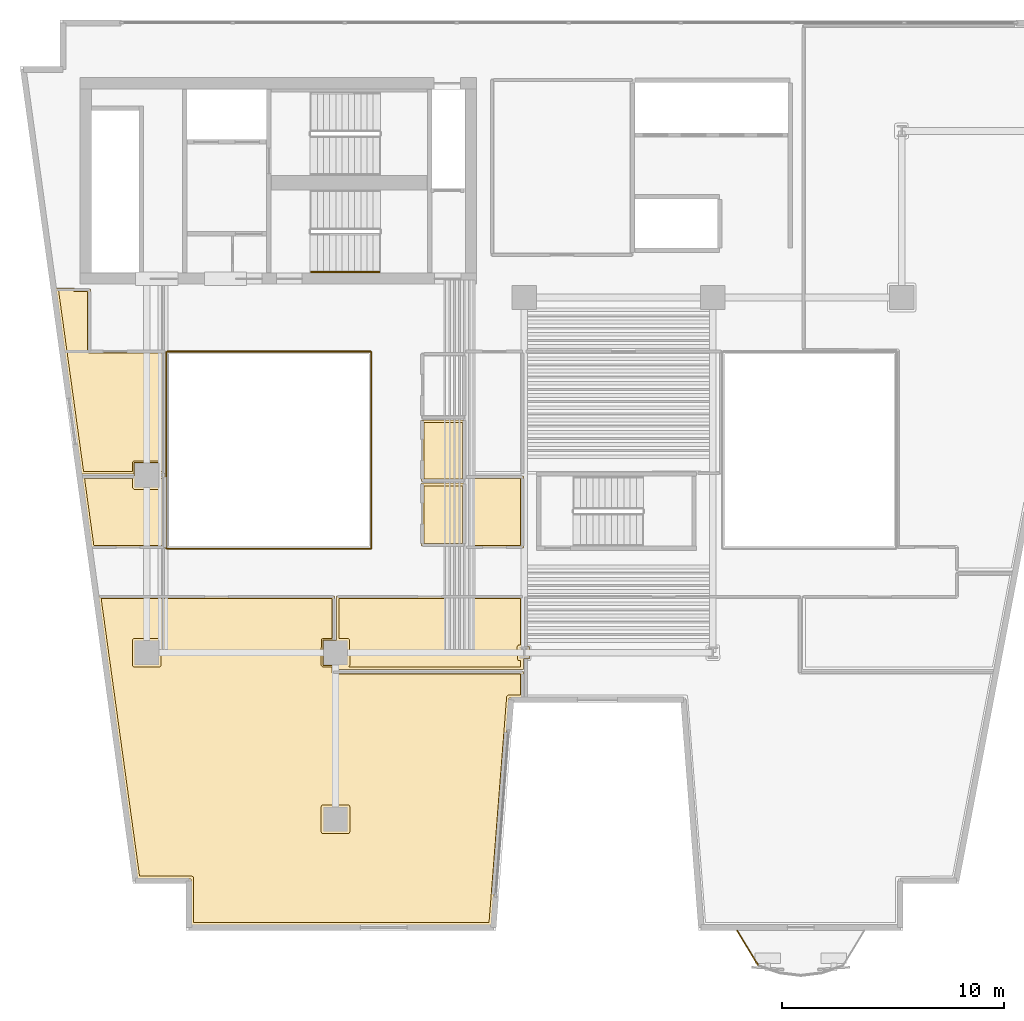
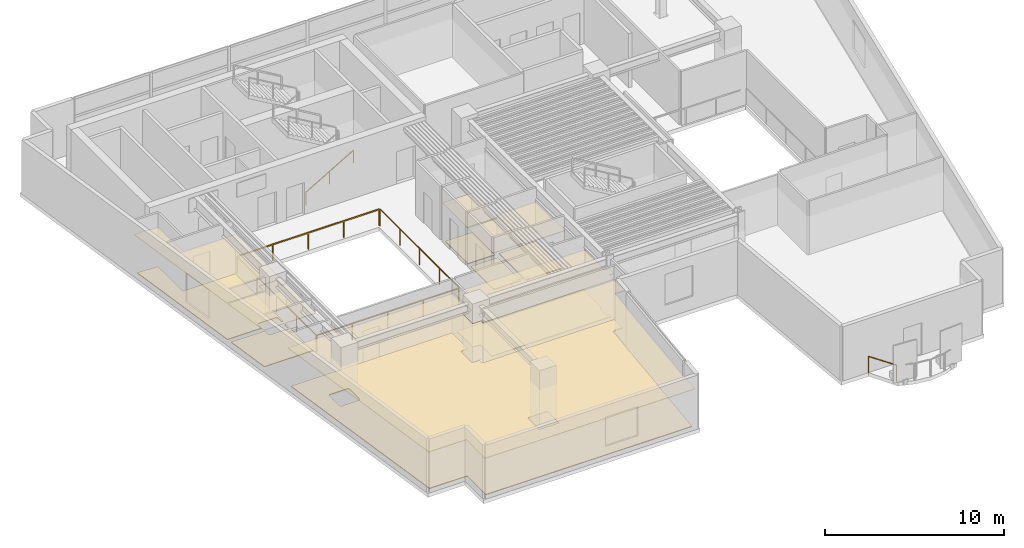
# One storey, part 9 of 12: 14 coverings, 6 railings.
"""IFC4 building model written with IfcOpenShell, lengths in metres."""

from ifc_helpers import new_model, si_unit, direction, frame, origin, origin_2d, place, context, subcontext, project, spatial, polyline, rectangle, outline, extrude, material, layer, layer_set, type_object, element, save


model = new_model("IFC4")

# Units and contexts
model_context = context("Model", 3, precision=1e-05, world=origin(), true_north=direction((0.0, 1.0)))
body_context = subcontext(model_context, "Body", "Model", "MODEL_VIEW")
ifc_project = project(units=[si_unit("LENGTHUNIT", "METRE"), si_unit("AREAUNIT", "SQUARE_METRE"), si_unit("VOLUMEUNIT", "CUBIC_METRE"), si_unit("PLANEANGLEUNIT", "RADIAN"), si_unit("MASSUNIT", "GRAM", prefix="KILO")], contexts=[model_context])

# Site, building, storey
site_placement = place(None, origin())
site = spatial("IfcSite", under=ifc_project, at=site_placement, CompositionType="ELEMENT")
building_placement = place(site_placement, origin())
building = spatial("IfcBuilding", under=site, at=building_placement, Name="Caeloran Harvest Quay", CompositionType="ELEMENT")
storey_placement = place(building_placement, frame((0.0, 0.0, 119.300048828125)))
storey = spatial("IfcBuildingStorey", under=building, at=storey_placement, Name="L27", CompositionType="ELEMENT", Elevation=119.300048828125)

# Coverings
ifc_material_1 = material(Name="Perforated Mineral-Fibre Acoustic Ceiling Tile", Category="ceiling")
ifc_layer_1 = layer(ifc_material_1, 0.0400390625, Name="Perforated Mineral-Fibre Acoustic Ceiling Tile")
ifc_layer_set_1 = layer_set([ifc_layer_1], Name="Perforated Mineral-Fibre Acoustic Ceiling Tile")
covering_type_1 = type_object("IfcCoveringType", Name="COV-CEILING-ACOUSTIC", PredefinedType="CEILING", material=ifc_layer_set_1)
covering_1_placement = place(storey_placement, frame((0.0, 0.0, 2.599853515625)))
element("IfcCovering", 1, at=covering_1_placement, inside=storey, type_object=covering_type_1, Name="L27 Female Washroom WC Acoustic Ceiling", PredefinedType="CEILING", context=body_context, shape_type="SweptSolid", body=[
    extrude(outline(polyline([(22.840087890625, 22.7099609375), (20.8701171875, 22.7099609375), (20.8701171875, 25.489990234375), (22.840087890625, 25.489990234375), (22.840087890625, 22.7099609375)])), origin(), (0.0, 0.0, 1.0), 0.0400390625),
])
covering_2_placement = place(storey_placement, frame((0.0, 0.0, 2.599853515625)))
element("IfcCovering", 2, at=covering_2_placement, inside=storey, type_object=covering_type_1, Name="L27 Accessible Unisex Washroom WC Acoustic Ceiling", PredefinedType="CEILING", context=body_context, shape_type="SweptSolid", body=[
    extrude(outline(polyline([(22.840087890625, 19.81005859375), (20.8701171875, 19.81005859375), (20.8701171875, 22.639892578125), (22.840087890625, 22.639892578125), (22.840087890625, 19.81005859375)])), origin(), (0.0, 0.0, 1.0), 0.0400390625),
])
covering_3_placement = place(storey_placement, frame((0.0, 0.0, 2.599853515625)))
element("IfcCovering", 3, at=covering_3_placement, inside=storey, type_object=covering_type_1, Name="Agri-Robotics Open Research Workspace Acoustic Ceiling", PredefinedType="CEILING", context=body_context, shape_type="SweptSolid", body=[
    extrude(outline(polyline([(6.309326171875, 17.56005859375), (16.9599609375, 17.56005859375), (16.9599609375, 15.570068359375), (17.570068359375, 15.570068359375), (17.570068359375, 14.429931640625), (16.9599609375, 14.429931640625), (16.9599609375, 14.159912109375), (25.4599609375, 14.159912109375), (25.4599609375, 12.969970703125), (24.826416015625, 12.969970703125), (24.026611328125, 2.719970703125), (10.489990234375, 2.719970703125), (10.489990234375, 4.820068359375), (8.0712890625, 4.820068359375), (6.309326171875, 17.56005859375)])), origin(), (0.0, 0.0, 1.0), 0.0400390625),
])
covering_4_placement = place(storey_placement, frame((0.0, 0.0, 2.599853515625)))
element("IfcCovering", 4, at=covering_4_placement, inside=storey, type_object=covering_type_1, Name="Phenotyping Sensor Laboratory Acoustic Ceiling", PredefinedType="CEILING", context=body_context, shape_type="SweptSolid", body=[
    extrude(outline(polyline([(16.429931640625, 14.429931640625), (16.429931640625, 15.570068359375), (17.0400390625, 15.570068359375), (17.0400390625, 17.56005859375), (25.4599609375, 17.56005859375), (25.4599609375, 15.277099609375), (25.738525390625, 15.277099609375), (25.738525390625, 14.722900390625), (25.4599609375, 14.722900390625), (25.4599609375, 14.239990234375), (17.0400390625, 14.239990234375), (17.0400390625, 14.429931640625), (16.429931640625, 14.429931640625)])), origin(), (0.0, 0.0, 1.0), 0.0400390625),
])
covering_5_placement = place(storey_placement, frame((0.0, 0.0, 2.599853515625)))
element("IfcCovering", 5, at=covering_5_placement, inside=storey, type_object=covering_type_1, Name="R&D Project Conference Room Acoustic Ceiling", PredefinedType="CEILING", context=body_context, shape_type="SweptSolid", body=[
    extrude(outline(polyline([(25.4599609375, 19.7099609375), (22.8701171875, 19.7099609375), (22.8701171875, 22.9599609375), (25.4599609375, 22.9599609375), (25.4599609375, 19.7099609375)])), origin(), (0.0, 0.0, 1.0), 0.0400390625),
])
covering_6_placement = place(storey_placement, frame((0.0, 0.0, 2.599853515625)))
element("IfcCovering", 6, at=covering_6_placement, inside=storey, type_object=covering_type_1, Name="Collaborators Tea Lounge Acoustic Ceiling", PredefinedType="CEILING", context=body_context, shape_type="SweptSolid", body=[
    extrude(outline(polyline([(9.360107421875, 22.9599609375), (9.360107421875, 19.7099609375), (6.01220703125, 19.7099609375), (5.5625, 22.9599609375), (7.929931640625, 22.9599609375), (7.929931640625, 23.570068359375), (9.070068359375, 23.570068359375), (9.070068359375, 22.9599609375), (9.360107421875, 22.9599609375)])), origin(), (0.0, 0.0, 1.0), 0.0400390625),
])
covering_7_placement = place(storey_placement, frame((0.0, 0.0, 2.599853515625)))
element("IfcCovering", 7, at=covering_7_placement, inside=storey, type_object=covering_type_1, Name="Crop Genomics Wet Laboratory 9 Acoustic Ceiling", PredefinedType="CEILING", context=body_context, shape_type="SweptSolid", body=[
    extrude(outline(polyline([(9.070068359375, 22.429931640625), (7.929931640625, 22.429931640625), (7.929931640625, 23.0400390625), (5.551513671875, 23.0400390625), (4.391357421875, 31.429931640625), (5.214599609375, 31.429931640625), (5.260009765625, 31.408447265625), (5.260009765625, 31.389892578125), (5.9599609375, 31.389892578125), (5.9599609375, 28.610107421875), (9.360107421875, 28.610107421875), (9.360107421875, 23.0400390625), (9.070068359375, 23.0400390625), (9.070068359375, 22.429931640625)])), origin(), (0.0, 0.0, 1.0), 0.0400390625),
])
ifc_material_2 = material(Name="Calcium-Sulphate Raised Access Floor and Terrazzo Finish", Category="flooring")
ifc_layer_2 = layer(ifc_material_2, 0.050048828125, Name="Calcium-Sulphate Raised Access Floor and Terrazzo Finish")
ifc_layer_set_2 = layer_set([ifc_layer_2], Name="Calcium-Sulphate Raised Access Floor and Terrazzo Finish")
covering_type_2 = type_object("IfcCoveringType", Name="COV-FLOOR-RAISED", PredefinedType="FLOORING", material=ifc_layer_set_2)
covering_8_placement = place(storey_placement, origin())
element("IfcCovering", 8, at=covering_8_placement, inside=storey, type_object=covering_type_2, Name="L27 Female Washroom WC Raised Finish Flooring", PredefinedType="FLOORING", context=body_context, shape_type="SweptSolid", body=[
    extrude(outline(polyline([(22.719970703125, 22.830078125), (20.989990234375, 22.830078125), (20.989990234375, 25.3701171875), (22.719970703125, 25.3701171875), (22.719970703125, 22.830078125)])), origin(), (0.0, 0.0, 1.0), 0.050048828125),
])
covering_9_placement = place(storey_placement, origin())
element("IfcCovering", 9, at=covering_9_placement, inside=storey, type_object=covering_type_2, Name="L27 Accessible Unisex Washroom WC Raised Finish Flooring", PredefinedType="FLOORING", context=body_context, shape_type="SweptSolid", body=[
    extrude(outline(polyline([(22.719970703125, 19.929931640625), (20.989990234375, 19.929931640625), (20.989990234375, 22.52001953125), (22.719970703125, 22.52001953125), (22.719970703125, 19.929931640625)])), origin(), (0.0, 0.0, 1.0), 0.050048828125),
])
covering_10_placement = place(storey_placement, origin())
element("IfcCovering", 10, at=covering_10_placement, inside=storey, type_object=covering_type_2, Name="Agri-Robotics Open Research Workspace Raised Finish Flooring", PredefinedType="FLOORING", context=body_context, shape_type="SweptSolid", body=[
    extrude(outline(polyline([(10.610107421875, 4.860107421875), (10.586669921875, 4.91650390625), (10.530029296875, 4.93994140625), (8.17578125, 4.93994140625), (6.447021484375, 17.43994140625), (16.840087890625, 17.43994140625), (16.840087890625, 15.64501953125), (16.42724609375, 15.64453125), (16.361083984375, 15.595703125), (16.35498046875, 14.43505859375), (16.41943359375, 14.3564453125), (16.840087890625, 14.35498046875), (16.841552734375, 14.1044921875), (16.889404296875, 14.046142578125), (25.340087890625, 14.0400390625), (25.340087890625, 13.090087890625), (24.781494140625, 13.089599609375), (24.709716796875, 13.01611328125), (23.91552734375, 2.840087890625), (10.610107421875, 2.840087890625), (10.610107421875, 4.860107421875)]), holes=[polyline([(16.43505859375, 8.14501953125), (16.37841796875, 8.12158203125), (16.35498046875, 8.06494140625), (16.35498046875, 6.93505859375), (16.37841796875, 6.87841796875), (16.43505859375, 6.85498046875), (17.56494140625, 6.85498046875), (17.62158203125, 6.87841796875), (17.64501953125, 6.93505859375), (17.64501953125, 8.06494140625), (17.62158203125, 8.12158203125), (17.56494140625, 8.14501953125), (16.43505859375, 8.14501953125)]), polyline([(7.93505859375, 15.64501953125), (7.87841796875, 15.62158203125), (7.85498046875, 15.56494140625), (7.85498046875, 14.43505859375), (7.87841796875, 14.37841796875), (7.93505859375, 14.35498046875), (9.06494140625, 14.35498046875), (9.12158203125, 14.37841796875), (9.14501953125, 14.43505859375), (9.14501953125, 15.56494140625), (9.12158203125, 15.62158203125), (9.06494140625, 15.64501953125), (7.93505859375, 15.64501953125)])]), origin(), (0.0, 0.0, 1.0), 0.050048828125),
])
covering_11_placement = place(storey_placement, origin())
element("IfcCovering", 11, at=covering_11_placement, inside=storey, type_object=covering_type_2, Name="Phenotyping Sensor Laboratory Raised Finish Flooring", PredefinedType="FLOORING", context=body_context, shape_type="SweptSolid", body=[
    extrude(outline(polyline([(17.592529296875, 14.360107421875), (17.64501953125, 14.43505859375), (17.6416015625, 15.588134765625), (17.57275390625, 15.64453125), (17.159912109375, 15.64501953125), (17.159912109375, 17.43994140625), (25.340087890625, 17.43994140625), (25.340087890625, 15.35205078125), (25.228759765625, 15.342529296875), (25.1865234375, 15.27197265625), (25.18798828125, 14.71240234375), (25.23583984375, 14.654052734375), (25.340087890625, 14.64794921875), (25.340087890625, 14.360107421875), (17.592529296875, 14.360107421875)])), origin(), (0.0, 0.0, 1.0), 0.050048828125),
])
covering_12_placement = place(storey_placement, origin())
element("IfcCovering", 12, at=covering_12_placement, inside=storey, type_object=covering_type_2, Name="R&D Project Conference Room Raised Finish Flooring", PredefinedType="FLOORING", context=body_context, shape_type="SweptSolid", body=[
    extrude(outline(polyline([(25.340087890625, 19.830078125), (22.989990234375, 19.830078125), (22.989990234375, 22.840087890625), (25.340087890625, 22.840087890625), (25.340087890625, 19.830078125)])), origin(), (0.0, 0.0, 1.0), 0.050048828125),
])
covering_13_placement = place(storey_placement, origin())
element("IfcCovering", 13, at=covering_13_placement, inside=storey, type_object=covering_type_2, Name="Collaborators Tea Lounge Raised Finish Flooring", PredefinedType="FLOORING", context=body_context, shape_type="SweptSolid", body=[
    extrude(outline(polyline([(7.85498046875, 22.840087890625), (7.8564453125, 22.41943359375), (7.93505859375, 22.35498046875), (9.095703125, 22.361083984375), (9.14453125, 22.42724609375), (9.14501953125, 22.840087890625), (9.239990234375, 22.840087890625), (9.239990234375, 19.830078125), (6.11669921875, 19.830078125), (5.700439453125, 22.840087890625), (7.85498046875, 22.840087890625)])), origin(), (0.0, 0.0, 1.0), 0.050048828125),
])
covering_14_placement = place(storey_placement, origin())
element("IfcCovering", 14, at=covering_14_placement, inside=storey, type_object=covering_type_2, Name="Crop Genomics Wet Laboratory 9 Raised Finish Flooring", PredefinedType="FLOORING", context=body_context, shape_type="SweptSolid", body=[
    extrude(outline(polyline([(5.165283203125, 31.31005859375), (5.2431640625, 31.270263671875), (5.840087890625, 31.27001953125), (5.840087890625, 28.60009765625), (5.8857421875, 28.5107421875), (5.949951171875, 28.489990234375), (9.239990234375, 28.489990234375), (9.239990234375, 23.159912109375), (9.14501953125, 23.159912109375), (9.1435546875, 23.58056640625), (9.06494140625, 23.64501953125), (7.904296875, 23.638916015625), (7.85546875, 23.57275390625), (7.85498046875, 23.159912109375), (5.656005859375, 23.159912109375), (4.529052734375, 31.31005859375), (5.165283203125, 31.31005859375)])), origin(), (0.0, 0.0, 1.0), 0.050048828125),
])

# Railings
ifc_material_3 = material(Name="Powder-Coated Steel Post and Laminated Glass Guardrail", Category="steel")
ifc_layer_3 = layer(ifc_material_3, 0.06005859375, Name="Powder-Coated Steel Post and Laminated Glass Guardrail")
ifc_layer_set_3 = layer_set([ifc_layer_3], Name="Powder-Coated Steel Post and Laminated Glass Guardrail")
railing_type_1 = type_object("IfcRailingType", Name="GUARD-ATRIUM-1150", PredefinedType="GUARDRAIL", material=ifc_layer_set_3)
railing_1_placement = place(storey_placement, frame((9.412109375, 19.679931640625, 0.0)))
element("IfcRailing", 15, at=railing_1_placement, inside=storey, type_object=railing_type_1, Name="L27 Skylit Atrium Void Perimeter Guardrail Seg 1", PredefinedType="GUARDRAIL", context=body_context, shape_type="SweptSolid", body=[
    extrude(rectangle(XDim=0.048095703125, YDim=0.048095703125, at=origin_2d()), frame((0.0, 0.0, 1.1259765625), z_axis=(1.0, 0.0, 0.0), x_axis=(0.0, 1.0, 0.0)), (0.0, 0.0, 1.0), 9.17578125),
    extrude(rectangle(XDim=0.0419921875, YDim=0.0419921875, at=origin_2d()), origin(), (0.0, 0.0, 1.0), 1.101806640625),
    extrude(rectangle(XDim=0.0419921875, YDim=0.0419921875, at=origin_2d()), frame((2.2939453125, 0.0, 0.0)), (0.0, 0.0, 1.0), 1.101806640625),
    extrude(rectangle(XDim=0.0419921875, YDim=0.0419921875, at=origin_2d()), frame((4.587890625, 0.0, 0.0)), (0.0, 0.0, 1.0), 1.101806640625),
    extrude(rectangle(XDim=0.0419921875, YDim=0.0419921875, at=origin_2d()), frame((6.8818359375, 0.0, 0.0)), (0.0, 0.0, 1.0), 1.101806640625),
    extrude(rectangle(XDim=0.0419921875, YDim=0.0419921875, at=origin_2d()), frame((9.17578125, 0.0, 0.0)), (0.0, 0.0, 1.0), 1.101806640625),
])
railing_2_placement = place(storey_placement, frame((18.6201171875, 19.7119140625, 0.0)))
element("IfcRailing", 16, at=railing_2_placement, inside=storey, type_object=railing_type_1, Name="L27 Skylit Atrium Void Perimeter Guardrail Seg 2", PredefinedType="GUARDRAIL", context=body_context, shape_type="SweptSolid", body=[
    extrude(rectangle(XDim=0.048095703125, YDim=0.048095703125, at=origin_2d()), frame((0.0, 0.0, 1.1259765625), z_axis=(0.0, 1.0, 0.0), x_axis=(-1.0, 0.0, 0.0)), (0.0, 0.0, 1.0), 8.826171875),
    extrude(rectangle(XDim=0.0419921875, YDim=0.0419921875, at=origin_2d()), origin(), (0.0, 0.0, 1.0), 1.101806640625),
    extrude(rectangle(XDim=0.0419921875, YDim=0.0419921875, at=origin_2d()), frame((0.0, 2.20654296875, 0.0)), (0.0, 0.0, 1.0), 1.101806640625),
    extrude(rectangle(XDim=0.0419921875, YDim=0.0419921875, at=origin_2d()), frame((0.0, 4.4130859375, 0.0)), (0.0, 0.0, 1.0), 1.101806640625),
    extrude(rectangle(XDim=0.0419921875, YDim=0.0419921875, at=origin_2d()), frame((0.0, 6.61962890625, 0.0)), (0.0, 0.0, 1.0), 1.101806640625),
    extrude(rectangle(XDim=0.0419921875, YDim=0.0419921875, at=origin_2d()), frame((0.0, 8.826171875, 0.0)), (0.0, 0.0, 1.0), 1.101806640625),
])
railing_3_placement = place(storey_placement, frame((18.587890625, 28.570068359375, 0.0)))
element("IfcRailing", 17, at=railing_3_placement, inside=storey, type_object=railing_type_1, Name="L27 Skylit Atrium Void Perimeter Guardrail Seg 3", PredefinedType="GUARDRAIL", context=body_context, shape_type="SweptSolid", body=[
    extrude(rectangle(XDim=0.048095703125, YDim=0.048095703125, at=origin_2d()), frame((0.0, 0.0, 1.1259765625), z_axis=(-1.0, 0.0, 0.0), x_axis=(0.0, -1.0, 0.0)), (0.0, 0.0, 1.0), 9.17578125),
    extrude(rectangle(XDim=0.0419921875, YDim=0.0419921875, at=origin_2d()), origin(), (0.0, 0.0, 1.0), 1.101806640625),
    extrude(rectangle(XDim=0.0419921875, YDim=0.0419921875, at=origin_2d()), frame((-2.2939453125, 0.0, 0.0)), (0.0, 0.0, 1.0), 1.101806640625),
    extrude(rectangle(XDim=0.0419921875, YDim=0.0419921875, at=origin_2d()), frame((-4.587890625, 0.0, 0.0)), (0.0, 0.0, 1.0), 1.101806640625),
    extrude(rectangle(XDim=0.0419921875, YDim=0.0419921875, at=origin_2d()), frame((-6.8818359375, 0.0, 0.0)), (0.0, 0.0, 1.0), 1.101806640625),
    extrude(rectangle(XDim=0.0419921875, YDim=0.0419921875, at=origin_2d()), frame((-9.17578125, 0.0, 0.0)), (0.0, 0.0, 1.0), 1.101806640625),
])
railing_4_placement = place(storey_placement, frame((9.3798828125, 28.5380859375, 0.0)))
element("IfcRailing", 18, at=railing_4_placement, inside=storey, type_object=railing_type_1, Name="L27 Skylit Atrium Void Perimeter Guardrail Seg 4", PredefinedType="GUARDRAIL", context=body_context, shape_type="SweptSolid", body=[
    extrude(rectangle(XDim=0.048095703125, YDim=0.048095703125, at=origin_2d()), frame((0.0, 0.0, 1.1259765625), z_axis=(0.0, -1.0, 0.0), x_axis=(1.0, 0.0, 0.0)), (0.0, 0.0, 1.0), 8.826171875),
    extrude(rectangle(XDim=0.0419921875, YDim=0.0419921875, at=origin_2d()), origin(), (0.0, 0.0, 1.0), 1.101806640625),
    extrude(rectangle(XDim=0.0419921875, YDim=0.0419921875, at=origin_2d()), frame((0.0, -2.20654296875, 0.0)), (0.0, 0.0, 1.0), 1.101806640625),
    extrude(rectangle(XDim=0.0419921875, YDim=0.0419921875, at=origin_2d()), frame((0.0, -4.4130859375, 0.0)), (0.0, 0.0, 1.0), 1.101806640625),
    extrude(rectangle(XDim=0.0419921875, YDim=0.0419921875, at=origin_2d()), frame((0.0, -6.61962890625, 0.0)), (0.0, 0.0, 1.0), 1.101806640625),
    extrude(rectangle(XDim=0.0419921875, YDim=0.0419921875, at=origin_2d()), frame((0.0, -8.826171875, 0.0)), (0.0, 0.0, 1.0), 1.101806640625),
])
ifc_material_4 = material(Name="Laminated Safety Glass and Stainless Steel 316", Category="steel")
ifc_layer_4 = layer(ifc_material_4, 0.06005859375, Name="Laminated Safety Glass and Stainless Steel 316")
ifc_layer_set_4 = layer_set([ifc_layer_4], Name="Laminated Safety Glass and Stainless Steel 316")
railing_type_2 = type_object("IfcRailingType", Name="GUARD-BALUSTRADE-1150", PredefinedType="BALUSTRADE", material=ifc_layer_set_4)
railing_5_placement = place(storey_placement, frame((36.028564453125, 0.94677734375, 0.0)))
element("IfcRailing", 19, at=railing_5_placement, inside=storey, type_object=railing_type_2, Name="L27 Planted Balcony Perimeter Balustrade Guard Seg 6", PredefinedType="BALUSTRADE", context=body_context, shape_type="SweptSolid", body=[
    extrude(rectangle(XDim=0.048095703125, YDim=0.048095703125, at=origin_2d()), frame((0.0, 0.0, 1.1259765625), z_axis=(-0.522460171992, 0.852663690257, 0.0), x_axis=(-0.852663690257, -0.522460171992, 0.0)), (0.0, 0.0, 1.0), 1.798095703125),
    extrude(rectangle(XDim=0.0419921875, YDim=0.0419921875, at=origin_2d()), origin(), (0.0, 0.0, 1.0), 1.101806640625),
    extrude(rectangle(XDim=0.0419921875, YDim=0.0419921875, at=origin_2d()), frame((-0.939453125, 1.533203125, 0.0)), (0.0, 0.0, 1.0), 1.101806640625),
])
ifc_material_5 = material(Name="Brushed Stainless Steel Grade 304", Category="steel")
ifc_layer_5 = layer(ifc_material_5, 0.050048828125, Name="Brushed Stainless Steel Grade 304")
ifc_layer_set_5 = layer_set([ifc_layer_5], Name="Brushed Stainless Steel Grade 304")
railing_type_3 = type_object("IfcRailingType", Name="STAIR-HANDRAIL-900", PredefinedType="HANDRAIL", material=ifc_layer_set_5)
railing_6_placement = place(storey_placement, frame((15.89990234375, 32.14990234375, 0.16455078125)))
element("IfcRailing", 20, at=railing_6_placement, inside=storey, type_object=railing_type_3, Name="L27 ST-C2 stair handrail 1", PredefinedType="HANDRAIL", context=body_context, shape_type="SweptSolid", body=[
    extrude(rectangle(XDim=0.048095703125, YDim=0.048095703125, at=origin_2d()), frame((0.0, 0.0, 0.8759765625), z_axis=(0.862118610829, 0.0, 0.506706523406), x_axis=(0.0, 1.0, 0.0)), (0.0, 0.0, 1.0), 3.57275390625),
    extrude(rectangle(XDim=0.0419921875, YDim=0.0419921875, at=origin_2d()), origin(), (0.0, 0.0, 1.0), 0.851806640625),
    extrude(rectangle(XDim=0.0419921875, YDim=0.0419921875, at=origin_2d()), frame((1.5400390625, 0.0, 0.9052734375)), (0.0, 0.0, 1.0), 0.851806640625),
    extrude(rectangle(XDim=0.0419921875, YDim=0.0419921875, at=origin_2d()), frame((3.080078125, 0.0, 1.810302734375)), (0.0, 0.0, 1.0), 0.851806640625),
])

save(model, "model.ifc")
